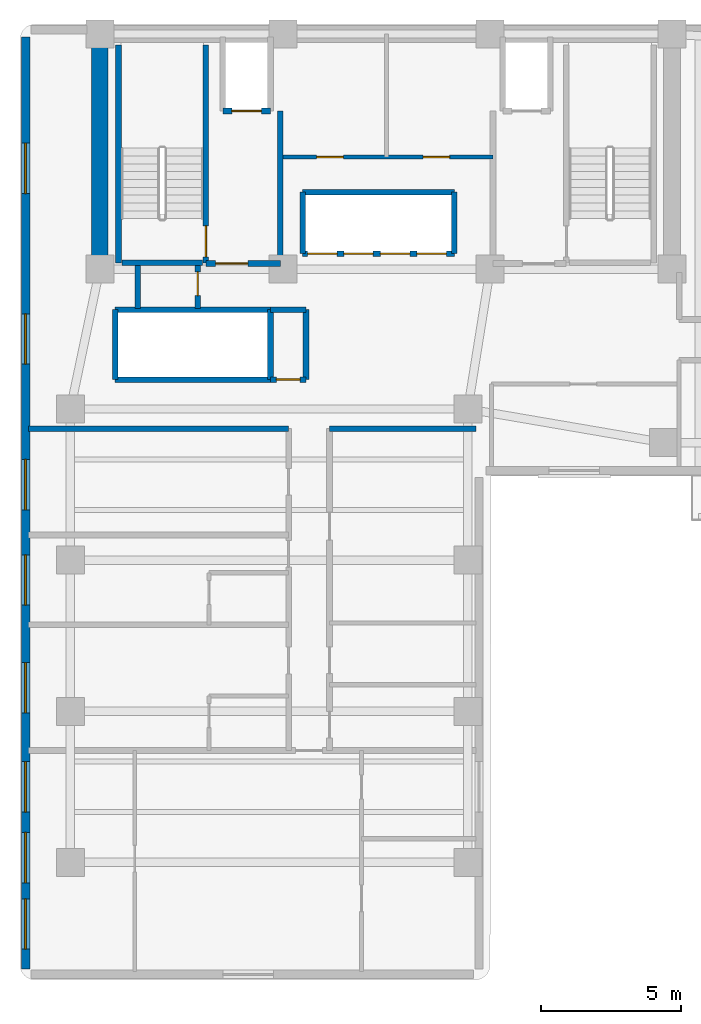
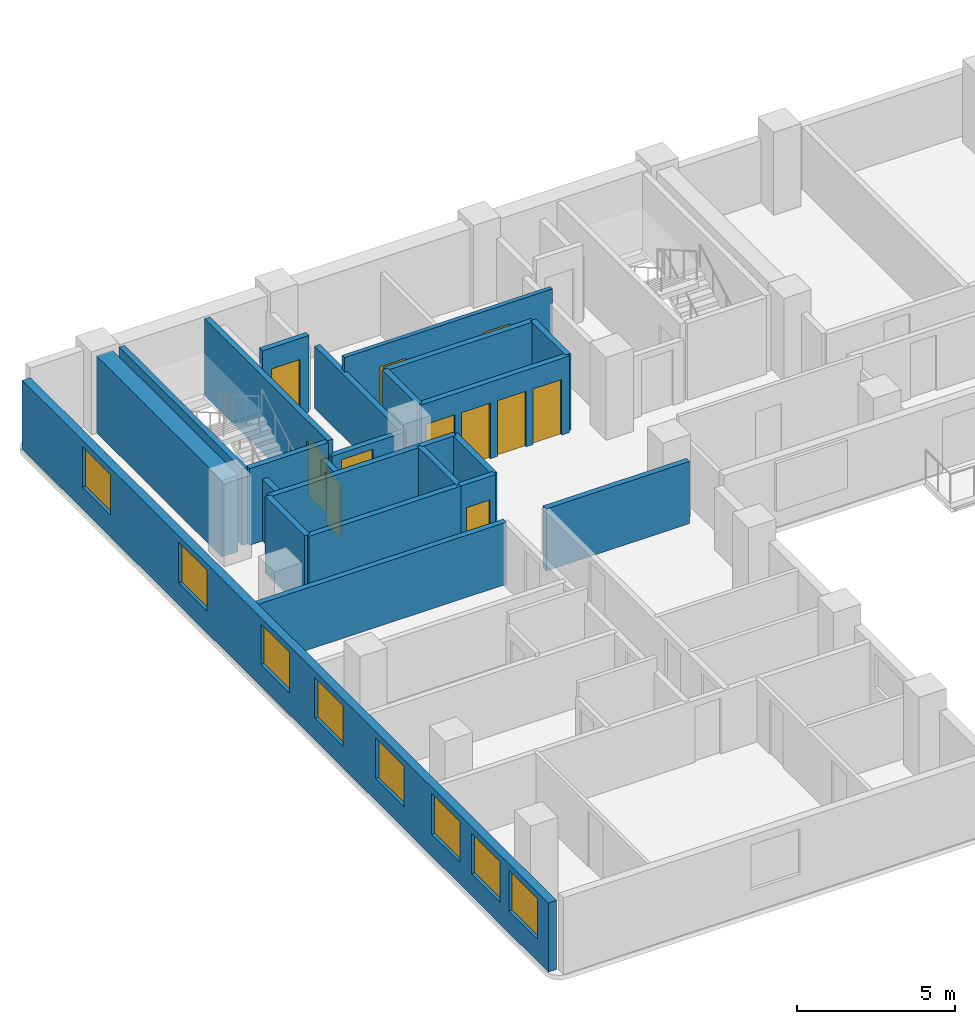
# One storey, part 3 of 7: 24 walls, 11 doors, 8 windows, 19 openings.
"""IFC4 building model written with IfcOpenShell, lengths in metres."""

from ifc_helpers import new_model, si_unit, direction, frame, frame_2d, origin, place, context, subcontext, project, spatial, rectangle, extrude, material, layer, layer_set, type_object, element, fill, save


model = new_model("IFC4")

# Units and contexts
model_context = context("Model", 3, precision=1e-05, world=origin(), true_north=direction((0.0, 1.0)))
body_context = subcontext(model_context, "Body", "Model", "MODEL_VIEW")
ifc_project = project(units=[si_unit("LENGTHUNIT", "METRE"), si_unit("AREAUNIT", "SQUARE_METRE"), si_unit("VOLUMEUNIT", "CUBIC_METRE"), si_unit("PLANEANGLEUNIT", "RADIAN"), si_unit("MASSUNIT", "GRAM", prefix="KILO")], contexts=[model_context])

# Site, building, storey
site_placement = place(None, origin())
site = spatial("IfcSite", under=ifc_project, at=site_placement, CompositionType="ELEMENT")
building_placement = place(site_placement, origin())
building = spatial("IfcBuilding", under=site, at=building_placement, Name="Kuzgunbayir Cultural Tower", CompositionType="ELEMENT")
storey_placement = place(building_placement, frame((0.0, 0.0, 149.0)))
storey = spatial("IfcBuildingStorey", under=building, at=storey_placement, Name="L43", CompositionType="ELEMENT", Elevation=149.0)

# Wall
ifc_material_1 = material(Name="Concrete C60/75", Category="concrete")
ifc_layer_1 = layer(ifc_material_1, 0.60009765625)
ifc_layer_set_1 = layer_set([ifc_layer_1], Name="Concrete C60/75")
wall_type_1 = type_object("IfcWallType", Name="WAL-CORE-600", PredefinedType="SHEAR", material=ifc_layer_set_1)
wall_1_placement = place(storey_placement, frame((6.449951171875, 33.800048828125, 0.0), z_axis=(0.0, 0.0, 1.0), x_axis=(0.0, 1.0, 0.0)))
element("IfcWall", 1, at=wall_1_placement, inside=storey, type_object=wall_type_1, Name="L43 T1 Core West Shear Wall", PredefinedType="SHEAR", context=body_context, shape_type="SweptSolid", body=[
    extrude(rectangle(XDim=7.949951171875, YDim=0.60009765625, at=frame_2d((3.97509765625, 0.0))), origin(), (0.0, 0.0, 1.0), 2.9599609375),
])

# Wall, openings, windows
ifc_material_2 = material(Name="Anatolian Cream Limestone", Category="masonry")
ifc_layer_2 = layer(ifc_material_2, 0.300048828125)
ifc_layer_set_2 = layer_set([ifc_layer_2], Name="Anatolian Cream Limestone")
wall_type_2 = type_object("IfcWallType", Name="WAL-EXT-STONE-300", PredefinedType="STANDARD", material=ifc_layer_set_2)
wall_2_placement = place(storey_placement, frame((3.800048828125, 42.10009765625, 0.0), z_axis=(0.0, 0.0, 1.0), x_axis=(0.0, -1.0, 0.0)))
wall_2 = element("IfcWall", 2, at=wall_2_placement, inside=storey, type_object=wall_type_2, Name="L43 Wing A West Limestone Wall", PredefinedType="STANDARD", context=body_context, shape_type="SweptSolid", body=[
    extrude(rectangle(XDim=33.300048828125, YDim=0.300048828125, at=frame_2d((16.64990234375, 0.0))), origin(), (0.0, 0.0, 1.0), 2.669921875),
])
opening_1_placement = place(wall_2_placement, frame((22.360107421875, 0.0, 0.85009765625)))
opening_1 = element("IfcOpeningElement", 3, at=opening_1_placement, cuts=wall_2, Name="Opening WH-18", PredefinedType="OPENING", context=body_context, shape_type="SweptSolid", body=[
    extrude(rectangle(XDim=1.800048828125, YDim=1.570068359375, at=frame_2d((0.89990234375, 0.78515625))), frame((0.0, 0.16015625, 0.0), z_axis=(0.0, -1.0, 0.0), x_axis=(1.0, 0.0, 0.0)), (0.0, 0.0, 1.0), 0.320068359375),
])
opening_2_placement = place(wall_2_placement, frame((18.510009765625, 0.0, 0.85009765625)))
opening_2 = element("IfcOpeningElement", 4, at=opening_2_placement, cuts=wall_2, Name="Opening WH-18", PredefinedType="OPENING", context=body_context, shape_type="SweptSolid", body=[
    extrude(rectangle(XDim=1.800048828125, YDim=1.570068359375, at=frame_2d((0.89990234375, 0.78515625))), frame((0.0, 0.16015625, 0.0), z_axis=(0.0, -1.0, 0.0), x_axis=(1.0, 0.0, 0.0)), (0.0, 0.0, 1.0), 0.320068359375),
])
opening_3_placement = place(wall_2_placement, frame((28.429931640625, 0.0, 0.85009765625)))
opening_3 = element("IfcOpeningElement", 5, at=opening_3_placement, cuts=wall_2, Name="Opening WH-18", PredefinedType="OPENING", context=body_context, shape_type="SweptSolid", body=[
    extrude(rectangle(XDim=1.800048828125, YDim=1.570068359375, at=frame_2d((0.89990234375, 0.78515625))), frame((0.0, 0.16015625, 0.0), z_axis=(0.0, -1.0, 0.0), x_axis=(1.0, 0.0, 0.0)), (0.0, 0.0, 1.0), 0.320068359375),
])
opening_4_placement = place(wall_2_placement, frame((30.800048828125, 0.0, 0.85009765625)))
opening_4 = element("IfcOpeningElement", 6, at=opening_4_placement, cuts=wall_2, Name="Opening WH-18", PredefinedType="OPENING", context=body_context, shape_type="SweptSolid", body=[
    extrude(rectangle(XDim=1.800048828125, YDim=1.570068359375, at=frame_2d((0.89990234375, 0.78515625))), frame((0.0, 0.16015625, 0.0), z_axis=(0.0, -1.0, 0.0), x_axis=(1.0, 0.0, 0.0)), (0.0, 0.0, 1.0), 0.320068359375),
])
opening_5_placement = place(wall_2_placement, frame((25.89990234375, 0.0, 0.85009765625)))
opening_5 = element("IfcOpeningElement", 7, at=opening_5_placement, cuts=wall_2, Name="Opening WH-18", PredefinedType="OPENING", context=body_context, shape_type="SweptSolid", body=[
    extrude(rectangle(XDim=1.800048828125, YDim=1.570068359375, at=frame_2d((0.89990234375, 0.78515625))), frame((0.0, 0.16015625, 0.0), z_axis=(0.0, -1.0, 0.0), x_axis=(1.0, 0.0, 0.0)), (0.0, 0.0, 1.0), 0.320068359375),
])
opening_6_placement = place(wall_2_placement, frame((15.10009765625, 0.0, 0.85009765625)))
opening_6 = element("IfcOpeningElement", 8, at=opening_6_placement, cuts=wall_2, Name="Opening WH-18", PredefinedType="OPENING", context=body_context, shape_type="SweptSolid", body=[
    extrude(rectangle(XDim=1.800048828125, YDim=1.570068359375, at=frame_2d((0.89990234375, 0.78515625))), frame((0.0, 0.16015625, 0.0), z_axis=(0.0, -1.0, 0.0), x_axis=(1.0, 0.0, 0.0)), (0.0, 0.0, 1.0), 0.320068359375),
])
opening_7_placement = place(wall_2_placement, frame((9.89990234375, 0.0, 0.85009765625)))
opening_7 = element("IfcOpeningElement", 9, at=opening_7_placement, cuts=wall_2, Name="Opening WH-18", PredefinedType="OPENING", context=body_context, shape_type="SweptSolid", body=[
    extrude(rectangle(XDim=1.800048828125, YDim=1.570068359375, at=frame_2d((0.89990234375, 0.78515625))), frame((0.0, 0.16015625, 0.0), z_axis=(0.0, -1.0, 0.0), x_axis=(1.0, 0.0, 0.0)), (0.0, 0.0, 1.0), 0.320068359375),
])
opening_8_placement = place(wall_2_placement, frame((3.800048828125, 0.0, 0.85009765625)))
opening_8 = element("IfcOpeningElement", 10, at=opening_8_placement, cuts=wall_2, Name="Opening WH-18", PredefinedType="OPENING", context=body_context, shape_type="SweptSolid", body=[
    extrude(rectangle(XDim=1.800048828125, YDim=1.570068359375, at=frame_2d((0.89990234375, 0.78515625))), frame((0.0, 0.16015625, 0.0), z_axis=(0.0, -1.0, 0.0), x_axis=(1.0, 0.0, 0.0)), (0.0, 0.0, 1.0), 0.320068359375),
])
ifc_material_3 = material(Name="Solar-Control Triple Glazing", Category="glass")
window_type = type_object("IfcWindowType", Name="WIN-HOTEL-18", PartitioningType="SINGLE_PANEL", PredefinedType="WINDOW", material=ifc_material_3)
window_1_placement = place(opening_1_placement, origin())
window_1 = element("IfcWindow", 11, at=window_1_placement, inside=storey, type_object=window_type, Name="L43 WAW Facade Window 1", OverallHeight=1.570068359375, OverallWidth=1.800048828125, PartitioningType="SINGLE_PANEL", PredefinedType="WINDOW", context=body_context, shape_type="SweptSolid", body=[
    extrude(rectangle(XDim=1.800048828125, YDim=1.570068359375, at=frame_2d((0.89990234375, 0.78515625))), frame((0.0, 0.030029296875, 0.0), z_axis=(0.0, -1.0, 0.0), x_axis=(1.0, 0.0, 0.0)), (0.0, 0.0, 1.0), 0.06005859375),
])
fill(opening_1, window_1)
window_2_placement = place(opening_2_placement, origin())
window_2 = element("IfcWindow", 12, at=window_2_placement, inside=storey, type_object=window_type, Name="L43 WAW Facade Window 2", OverallHeight=1.570068359375, OverallWidth=1.800048828125, PartitioningType="SINGLE_PANEL", PredefinedType="WINDOW", context=body_context, shape_type="SweptSolid", body=[
    extrude(rectangle(XDim=1.800048828125, YDim=1.570068359375, at=frame_2d((0.89990234375, 0.78515625))), frame((0.0, 0.030029296875, 0.0), z_axis=(0.0, -1.0, 0.0), x_axis=(1.0, 0.0, 0.0)), (0.0, 0.0, 1.0), 0.06005859375),
])
fill(opening_2, window_2)
window_3_placement = place(opening_3_placement, origin())
window_3 = element("IfcWindow", 13, at=window_3_placement, inside=storey, type_object=window_type, Name="L43 WAW Facade Window 3", OverallHeight=1.570068359375, OverallWidth=1.800048828125, PartitioningType="SINGLE_PANEL", PredefinedType="WINDOW", context=body_context, shape_type="SweptSolid", body=[
    extrude(rectangle(XDim=1.800048828125, YDim=1.570068359375, at=frame_2d((0.89990234375, 0.78515625))), frame((0.0, 0.030029296875, 0.0), z_axis=(0.0, -1.0, 0.0), x_axis=(1.0, 0.0, 0.0)), (0.0, 0.0, 1.0), 0.06005859375),
])
fill(opening_3, window_3)
window_4_placement = place(opening_4_placement, origin())
window_4 = element("IfcWindow", 14, at=window_4_placement, inside=storey, type_object=window_type, Name="L43 WAW Facade Window 7", OverallHeight=1.570068359375, OverallWidth=1.800048828125, PartitioningType="SINGLE_PANEL", PredefinedType="WINDOW", context=body_context, shape_type="SweptSolid", body=[
    extrude(rectangle(XDim=1.800048828125, YDim=1.570068359375, at=frame_2d((0.89990234375, 0.78515625))), frame((0.0, 0.030029296875, 0.0), z_axis=(0.0, -1.0, 0.0), x_axis=(1.0, 0.0, 0.0)), (0.0, 0.0, 1.0), 0.06005859375),
])
fill(opening_4, window_4)
window_5_placement = place(opening_5_placement, origin())
window_5 = element("IfcWindow", 15, at=window_5_placement, inside=storey, type_object=window_type, Name="L43 WAW Facade Window 8", OverallHeight=1.570068359375, OverallWidth=1.800048828125, PartitioningType="SINGLE_PANEL", PredefinedType="WINDOW", context=body_context, shape_type="SweptSolid", body=[
    extrude(rectangle(XDim=1.800048828125, YDim=1.570068359375, at=frame_2d((0.89990234375, 0.78515625))), frame((0.0, 0.030029296875, 0.0), z_axis=(0.0, -1.0, 0.0), x_axis=(1.0, 0.0, 0.0)), (0.0, 0.0, 1.0), 0.06005859375),
])
fill(opening_5, window_5)
window_6_placement = place(opening_6_placement, origin())
window_6 = element("IfcWindow", 16, at=window_6_placement, inside=storey, type_object=window_type, Name="L43 WAW Facade Window 9", OverallHeight=1.570068359375, OverallWidth=1.800048828125, PartitioningType="SINGLE_PANEL", PredefinedType="WINDOW", context=body_context, shape_type="SweptSolid", body=[
    extrude(rectangle(XDim=1.800048828125, YDim=1.570068359375, at=frame_2d((0.89990234375, 0.78515625))), frame((0.0, 0.030029296875, 0.0), z_axis=(0.0, -1.0, 0.0), x_axis=(1.0, 0.0, 0.0)), (0.0, 0.0, 1.0), 0.06005859375),
])
fill(opening_6, window_6)
window_7_placement = place(opening_7_placement, origin())
window_7 = element("IfcWindow", 17, at=window_7_placement, inside=storey, type_object=window_type, Name="L43 WAW Facade Window 10", OverallHeight=1.570068359375, OverallWidth=1.800048828125, PartitioningType="SINGLE_PANEL", PredefinedType="WINDOW", context=body_context, shape_type="SweptSolid", body=[
    extrude(rectangle(XDim=1.800048828125, YDim=1.570068359375, at=frame_2d((0.89990234375, 0.78515625))), frame((0.0, 0.030029296875, 0.0), z_axis=(0.0, -1.0, 0.0), x_axis=(1.0, 0.0, 0.0)), (0.0, 0.0, 1.0), 0.06005859375),
])
fill(opening_7, window_7)
window_8_placement = place(opening_8_placement, origin())
window_8 = element("IfcWindow", 18, at=window_8_placement, inside=storey, type_object=window_type, Name="L43 WAW Facade Window 11", OverallHeight=1.570068359375, OverallWidth=1.800048828125, PartitioningType="SINGLE_PANEL", PredefinedType="WINDOW", context=body_context, shape_type="SweptSolid", body=[
    extrude(rectangle(XDim=1.800048828125, YDim=1.570068359375, at=frame_2d((0.89990234375, 0.78515625))), frame((0.0, 0.030029296875, 0.0), z_axis=(0.0, -1.0, 0.0), x_axis=(1.0, 0.0, 0.0)), (0.0, 0.0, 1.0), 0.06005859375),
])
fill(opening_8, window_8)

# Wall, openings, doors
ifc_material_4 = material(Name="Acoustic Double-Stud Drywall", Category="gypsum")
ifc_layer_3 = layer(ifc_material_4, 0.14990234375)
ifc_layer_set_3 = layer_set([ifc_layer_3], Name="Acoustic Double-Stud Drywall")
wall_type_3 = type_object("IfcWallType", Name="WAL-PART-ACOUSTIC-150", PredefinedType="PARTITIONING", material=ifc_layer_set_3)
wall_3_placement = place(storey_placement, frame((12.89990234375, 37.800048828125, 0.0), z_axis=(0.0, 0.0, 1.0), x_axis=(1.0, 0.0, 0.0)))
wall_3 = element("IfcWall", 19, at=wall_3_placement, inside=storey, type_object=wall_type_3, Name="L43 Repurposed Core Suite Wall", PredefinedType="PARTITIONING", context=body_context, shape_type="SweptSolid", body=[
    extrude(rectangle(XDim=7.60009765625, YDim=0.14990234375, at=frame_2d((3.800048828125, 0.0))), origin(), (0.0, 0.0, 1.0), 2.9599609375),
])
opening_9_placement = place(wall_3_placement, frame((1.300048828125, 0.0, 0.0)))
opening_9 = element("IfcOpeningElement", 20, at=opening_9_placement, cuts=wall_3, Name="Opening DC-95", PredefinedType="OPENING", context=body_context, shape_type="SweptSolid", body=[
    extrude(rectangle(XDim=0.949951171875, YDim=2.14990234375, at=frame_2d((0.47509765625, 1.074951171875))), frame((0.0, 0.0849609375, 0.0), z_axis=(0.0, -1.0, 0.0), x_axis=(1.0, 0.0, 0.0)), (0.0, 0.0, 1.0), 0.169921875),
])
opening_10_placement = place(wall_3_placement, frame((5.10009765625, 0.0, 0.0)))
opening_10 = element("IfcOpeningElement", 21, at=opening_10_placement, cuts=wall_3, Name="Opening DC-95", PredefinedType="OPENING", context=body_context, shape_type="SweptSolid", body=[
    extrude(rectangle(XDim=0.949951171875, YDim=2.14990234375, at=frame_2d((0.47509765625, 1.074951171875))), frame((0.0, 0.0849609375, 0.0), z_axis=(0.0, -1.0, 0.0), x_axis=(1.0, 0.0, 0.0)), (0.0, 0.0, 1.0), 0.169921875),
])
ifc_material_5 = material(Name="Fire-Rated Veneered Oak Leaf", Category="wood")
door_type_1 = type_object("IfcDoorType", Name="DR-CORE-95", OperationType="NOTDEFINED", PredefinedType="DOOR", material=ifc_material_5)
door_1_placement = place(opening_9_placement, origin())
door_1 = element("IfcDoor", 22, at=door_1_placement, inside=storey, type_object=door_type_1, Name="L43 Focus Room Door", OperationType="SINGLE_SWING_LEFT", OverallHeight=2.14990234375, OverallWidth=0.949951171875, PredefinedType="DOOR", context=body_context, shape_type="SweptSolid", body=[
    extrude(rectangle(XDim=0.949951171875, YDim=2.14990234375, at=frame_2d((0.47509765625, 1.074951171875))), frame((0.0, 0.02490234375, 0.0), z_axis=(0.0, -1.0, 0.0), x_axis=(1.0, 0.0, 0.0)), (0.0, 0.0, 1.0), 0.050048828125),
])
fill(opening_9, door_1)
door_2_placement = place(opening_10_placement, origin())
door_2 = element("IfcDoor", 23, at=door_2_placement, inside=storey, type_object=door_type_1, Name="L43 Core Linen Room Door", OperationType="SINGLE_SWING_RIGHT", OverallHeight=2.14990234375, OverallWidth=0.949951171875, PredefinedType="DOOR", context=body_context, shape_type="SweptSolid", body=[
    extrude(rectangle(XDim=0.949951171875, YDim=2.14990234375, at=frame_2d((0.47509765625, 1.074951171875))), frame((0.0, 0.02490234375, 0.0), z_axis=(0.0, -1.0, 0.0), x_axis=(1.0, 0.0, 0.0)), (0.0, 0.0, 1.0), 0.050048828125),
])
fill(opening_10, door_2)

# Wall
ifc_material_6 = material(Name="Aerated Concrete Blockwork", Category="masonry")
ifc_layer_4 = layer(ifc_material_6, 0.199951171875)
ifc_layer_set_4 = layer_set([ifc_layer_4], Name="Aerated Concrete Blockwork")
wall_type_4 = type_object("IfcWallType", Name="WAL-PART-FIRE-200", PredefinedType="PARTITIONING", material=ifc_layer_set_4)
wall_4_placement = place(storey_placement, frame((12.89990234375, 34.0, 0.0), z_axis=(0.0, 0.0, 1.0), x_axis=(0.0, 1.0, 0.0)))
element("IfcWall", 24, at=wall_4_placement, inside=storey, type_object=wall_type_4, Name="L43 FFL-1 Lobby East Fire Wall", PredefinedType="PARTITIONING", context=body_context, shape_type="SweptSolid", body=[
    extrude(rectangle(XDim=5.449951171875, YDim=0.199951171875, at=frame_2d((2.72509765625, 0.0))), origin(), (0.0, 0.0, 1.0), 2.39990234375),
])

# Wall, opening, door
wall_5_placement = place(storey_placement, frame((10.239990234375, 34.0, 0.0), z_axis=(0.0, 0.0, 1.0), x_axis=(1.0, 0.0, 0.0)))
wall_5 = element("IfcWall", 25, at=wall_5_placement, inside=storey, type_object=wall_type_4, Name="L43 FFL-1 Lobby South Fire Wall", PredefinedType="PARTITIONING", context=body_context, shape_type="SweptSolid", body=[
    extrude(rectangle(XDim=2.659912109375, YDim=0.199951171875, at=frame_2d((1.330078125, 0.0))), origin(), (0.0, 0.0, 1.0), 2.39990234375),
])
opening_11_placement = place(wall_5_placement, frame((0.35009765625, 0.0, 0.0)))
opening_11 = element("IfcOpeningElement", 26, at=opening_11_placement, cuts=wall_5, Name="Opening DR-FFL-90", PredefinedType="OPENING", context=body_context, shape_type="SweptSolid", body=[
    extrude(rectangle(XDim=1.14990234375, YDim=2.14990234375, at=frame_2d((0.574951171875, 1.074951171875))), frame((0.0, 0.10986328125, 0.0), z_axis=(0.0, -1.0, 0.0), x_axis=(1.0, 0.0, 0.0)), (0.0, 0.0, 1.0), 0.219970703125),
])
ifc_material_7 = material(Name="Steel S355J2", Category="steel")
door_type_2 = type_object("IfcDoorType", Name="DR-FFL-90", OperationType="NOTDEFINED", PredefinedType="DOOR", material=ifc_material_7)
door_3_placement = place(opening_11_placement, origin())
door_3 = element("IfcDoor", 27, at=door_3_placement, inside=storey, type_object=door_type_2, Name="L43 Firefighting Lobby 1 Door", OperationType="SINGLE_SWING_LEFT", OverallHeight=2.14990234375, OverallWidth=1.14990234375, PredefinedType="DOOR", context=body_context, shape_type="SweptSolid", body=[
    extrude(rectangle(XDim=1.14990234375, YDim=2.14990234375, at=frame_2d((0.574951171875, 1.074951171875))), frame((0.0, 0.02490234375, 0.0), z_axis=(0.0, -1.0, 0.0), x_axis=(1.0, 0.0, 0.0)), (0.0, 0.0, 1.0), 0.050048828125),
])
fill(opening_11, door_3)

wall_6_placement = place(storey_placement, frame((12.550048828125, 29.85009765625, 0.0), z_axis=(0.0, 0.0, 1.0), x_axis=(1.0, 0.0, 0.0)))
wall_6 = element("IfcWall", 28, at=wall_6_placement, inside=storey, type_object=wall_type_4, Name="L43 Center Core Switchgear South Wall", PredefinedType="PARTITIONING", context=body_context, shape_type="SweptSolid", body=[
    extrude(rectangle(XDim=1.27001953125, YDim=0.199951171875, at=frame_2d((0.635009765625, 0.0))), origin(), (0.0, 0.0, 1.0), 2.9599609375),
])
opening_12_placement = place(wall_6_placement, frame((0.2099609375, 0.0, 0.0)))
opening_12 = element("IfcOpeningElement", 29, at=opening_12_placement, cuts=wall_6, Name="Opening DR-RSR-60", PredefinedType="OPENING", context=body_context, shape_type="SweptSolid", body=[
    extrude(rectangle(XDim=0.85009765625, YDim=2.050048828125, at=frame_2d((0.425048828125, 1.02490234375))), frame((0.0, 0.10986328125, 0.0), z_axis=(0.0, -1.0, 0.0), x_axis=(1.0, 0.0, 0.0)), (0.0, 0.0, 1.0), 0.219970703125),
])
ifc_material_8 = material(Name="Steel Access Leaf", Category="steel")
door_type_3 = type_object("IfcDoorType", Name="DR-RISER-60", OperationType="NOTDEFINED", PredefinedType="DOOR", material=ifc_material_8)
door_4_placement = place(opening_12_placement, origin())
door_4 = element("IfcDoor", 30, at=door_4_placement, inside=storey, type_object=door_type_3, Name="L43 Electrical Switchgear Closet Door", OperationType="SINGLE_SWING_LEFT", OverallHeight=2.050048828125, OverallWidth=0.85009765625, PredefinedType="DOOR", context=body_context, shape_type="SweptSolid", body=[
    extrude(rectangle(XDim=0.85009765625, YDim=2.050048828125, at=frame_2d((0.425048828125, 1.02490234375))), frame((0.0, 0.02490234375, 0.0), z_axis=(0.0, -1.0, 0.0), x_axis=(1.0, 0.0, 0.0)), (0.0, 0.0, 1.0), 0.050048828125),
])
fill(opening_12, door_4)

# Walls
wall_7_placement = place(storey_placement, frame((13.820068359375, 29.85009765625, 0.0), z_axis=(0.0, 0.0, 1.0), x_axis=(0.0, 1.0, 0.0)))
element("IfcWall", 31, at=wall_7_placement, inside=storey, type_object=wall_type_4, Name="L43 Center Core Switchgear East Wall", PredefinedType="PARTITIONING", context=body_context, shape_type="SweptSolid", body=[
    extrude(rectangle(XDim=2.5, YDim=0.199951171875, at=frame_2d((1.25, 0.0))), origin(), (0.0, 0.0, 1.0), 2.9599609375),
])
wall_8_placement = place(storey_placement, frame((12.550048828125, 32.35009765625, 0.0), z_axis=(0.0, 0.0, 1.0), x_axis=(1.0, 0.0, 0.0)))
element("IfcWall", 32, at=wall_8_placement, inside=storey, type_object=wall_type_4, Name="L43 Center Core Switchgear North Wall", PredefinedType="PARTITIONING", context=body_context, shape_type="SweptSolid", body=[
    extrude(rectangle(XDim=1.27001953125, YDim=0.199951171875, at=frame_2d((0.635009765625, 0.0))), origin(), (0.0, 0.0, 1.0), 2.9599609375),
])
wall_9_placement = place(storey_placement, frame((7.800048828125, 32.39990234375, 0.0), z_axis=(0.0, 0.0, 1.0), x_axis=(0.0, 1.0, 0.0)))
element("IfcWall", 33, at=wall_9_placement, inside=storey, type_object=wall_type_4, Name="L43 West Core Electrical Closet West Wall", PredefinedType="PARTITIONING", context=body_context, shape_type="SweptSolid", body=[
    extrude(rectangle(XDim=1.52001953125, YDim=0.199951171875, at=frame_2d((0.760009765625, 0.0))), origin(), (0.0, 0.0, 1.0), 2.39990234375),
])

# Wall, opening, door
wall_10_placement = place(storey_placement, frame((9.949951171875, 32.39990234375, 0.0), z_axis=(0.0, 0.0, 1.0), x_axis=(0.0, 1.0, 0.0)))
wall_10 = element("IfcWall", 34, at=wall_10_placement, inside=storey, type_object=wall_type_4, Name="L43 West Core Electrical Closet East Wall", PredefinedType="PARTITIONING", context=body_context, shape_type="SweptSolid", body=[
    extrude(rectangle(XDim=1.52001953125, YDim=0.199951171875, at=frame_2d((0.760009765625, 0.0))), origin(), (0.0, 0.0, 1.0), 2.39990234375),
])
opening_13_placement = place(wall_10_placement, frame((0.449951171875, 0.0, 0.0)))
opening_13 = element("IfcOpeningElement", 35, at=opening_13_placement, cuts=wall_10, Name="Opening DR-RSR-60", PredefinedType="OPENING", context=body_context, shape_type="SweptSolid", body=[
    extrude(rectangle(XDim=0.85009765625, YDim=2.050048828125, at=frame_2d((0.425048828125, 1.02490234375))), frame((0.0, 0.10986328125, 0.0), z_axis=(0.0, -1.0, 0.0), x_axis=(1.0, 0.0, 0.0)), (0.0, 0.0, 1.0), 0.219970703125),
])
door_5_placement = place(opening_13_placement, origin())
door_5 = element("IfcDoor", 36, at=door_5_placement, inside=storey, type_object=door_type_3, Name="L43 West Core Switchgear Closet Door", OperationType="SINGLE_SWING_RIGHT", OverallHeight=2.050048828125, OverallWidth=0.85009765625, PredefinedType="DOOR", context=body_context, shape_type="SweptSolid", body=[
    extrude(rectangle(XDim=0.85009765625, YDim=2.050048828125, at=frame_2d((0.425048828125, 1.02490234375))), frame((0.0, 0.02490234375, 0.0), z_axis=(0.0, -1.0, 0.0), x_axis=(1.0, 0.0, 0.0)), (0.0, 0.0, 1.0), 0.050048828125),
])
fill(opening_13, door_5)

# Walls
wall_11_placement = place(storey_placement, frame((3.89990234375, 28.10009765625, 0.0), z_axis=(0.0, 0.0, 1.0), x_axis=(1.0, 0.0, 0.0)))
element("IfcWall", 37, at=wall_11_placement, inside=storey, type_object=wall_type_4, Name="L43 North West Partition", PredefinedType="PARTITIONING", context=body_context, shape_type="SweptSolid", body=[
    extrude(rectangle(XDim=9.300048828125, YDim=0.199951171875, at=frame_2d((4.64990234375, 0.0))), origin(), (0.0, 0.0, 1.0), 2.39990234375),
])
wall_12_placement = place(storey_placement, frame((14.659912109375, 28.10009765625, 0.0), z_axis=(0.0, 0.0, 1.0), x_axis=(1.0, 0.0, 0.0)))
element("IfcWall", 38, at=wall_12_placement, inside=storey, type_object=wall_type_4, Name="L43 North East Partition", PredefinedType="PARTITIONING", context=body_context, shape_type="SweptSolid", body=[
    extrude(rectangle(XDim=5.239990234375, YDim=0.199951171875, at=frame_2d((2.6201171875, 0.0))), origin(), (0.0, 0.0, 1.0), 2.39990234375),
])
ifc_material_9 = material(Name="Concrete C40/50", Category="concrete")
ifc_layer_5 = layer(ifc_material_9, 0.199951171875)
ifc_layer_set_5 = layer_set([ifc_layer_5], Name="Concrete C40/50")
wall_type_5 = type_object("IfcWallType", Name="WAL-SHAFT-200", PredefinedType="MOVABLE", material=ifc_layer_set_5)
for number, where, z_axis, x_axis, name in (
    (39, (7.0, 29.85009765625, 0.0), (0.0, 0.0, 1.0), (1.0, 0.0, 0.0), "L43 High-Rise Lift Shaft South Wall"),
    (40, (7.0, 32.35009765625, 0.0), (0.0, 0.0, 1.0), (1.0, 0.0, 0.0), "L43 High-Rise Lift Shaft North Wall"),
):
    element("IfcWall", number, at=place(storey_placement, frame(where, z_axis=z_axis, x_axis=x_axis)), inside=storey, type_object=wall_type_5, Name=name, PredefinedType="MOVABLE", context=body_context, shape_type="SweptSolid", body=[
        extrude(rectangle(XDim=5.550048828125, YDim=0.199951171875, at=frame_2d((2.77490234375, 0.0))), origin(), (0.0, 0.0, 1.0), 2.9599609375),
    ])
for number, where, z_axis, x_axis, name in (
    (41, (7.0, 29.85009765625, 0.0), (0.0, 0.0, 1.0), (0.0, 1.0, 0.0), "L43 High-Rise Lift Shaft West Wall"),
    (42, (12.550048828125, 29.85009765625, 0.0), (0.0, 0.0, 1.0), (0.0, 1.0, 0.0), "L43 High-Rise Lift Shaft East Wall"),
):
    element("IfcWall", number, at=place(storey_placement, frame(where, z_axis=z_axis, x_axis=x_axis)), inside=storey, type_object=wall_type_5, Name=name, PredefinedType="MOVABLE", context=body_context, shape_type="SweptSolid", body=[
        extrude(rectangle(XDim=2.5, YDim=0.199951171875, at=frame_2d((1.25, 0.0))), origin(), (0.0, 0.0, 1.0), 2.9599609375),
    ])

# Wall, opening, door
wall_13_placement = place(storey_placement, frame((10.85009765625, 39.449951171875, 0.0), z_axis=(0.0, 0.0, 1.0), x_axis=(1.0, 0.0, 0.0)))
wall_13 = element("IfcWall", 43, at=wall_13_placement, inside=storey, type_object=wall_type_5, Name="L43 FFL-1 Lift Front Wall", PredefinedType="MOVABLE", context=body_context, shape_type="SweptSolid", body=[
    extrude(rectangle(XDim=1.699951171875, YDim=0.199951171875, at=frame_2d((0.85009765625, 0.0))), origin(), (0.0, 0.0, 1.0), 2.9599609375),
])
opening_14_placement = place(wall_13_placement, frame((0.320068359375, 0.0, 0.0)))
opening_14 = element("IfcOpeningElement", 44, at=opening_14_placement, cuts=wall_13, Name="Opening LD", PredefinedType="OPENING", context=body_context, shape_type="SweptSolid", body=[
    extrude(rectangle(XDim=1.050048828125, YDim=2.14990234375, at=frame_2d((0.52490234375, 1.074951171875))), frame((0.0, 0.10986328125, 0.0), z_axis=(0.0, -1.0, 0.0), x_axis=(1.0, 0.0, 0.0)), (0.0, 0.0, 1.0), 0.219970703125),
])
ifc_material_10 = material(Name="Brushed Stainless Steel", Category="steel")
door_type_4 = type_object("IfcDoorType", Name="DR-LIFT-LANDING", OperationType="SLIDING_TO_LEFT", PredefinedType="DOOR", material=ifc_material_10)
door_6_placement = place(opening_14_placement, origin())
door_6 = element("IfcDoor", 45, at=door_6_placement, inside=storey, type_object=door_type_4, Name="L43 Lift FFL-1 Landing Door", OperationType="SLIDING_TO_LEFT", OverallHeight=2.14990234375, OverallWidth=1.050048828125, PredefinedType="DOOR", context=body_context, shape_type="SweptSolid", body=[
    extrude(rectangle(XDim=1.050048828125, YDim=2.14990234375, at=frame_2d((0.52490234375, 1.074951171875))), frame((0.0, 0.02490234375, 0.0), z_axis=(0.0, -1.0, 0.0), x_axis=(1.0, 0.0, 0.0)), (0.0, 0.0, 1.0), 0.050048828125),
])
fill(opening_14, door_6)

# Wall, openings, doors
wall_14_placement = place(storey_placement, frame((13.699951171875, 34.35009765625, 0.0), z_axis=(0.0, 0.0, 1.0), x_axis=(1.0, 0.0, 0.0)))
wall_14 = element("IfcWall", 46, at=wall_14_placement, inside=storey, type_object=wall_type_5, Name="L43 Mid-Rise Lift Front Wall", PredefinedType="MOVABLE", context=body_context, shape_type="SweptSolid", body=[
    extrude(rectangle(XDim=5.420166015625, YDim=0.199951171875, at=frame_2d((2.7099609375, 0.0))), origin(), (0.0, 0.0, 1.0), 2.9599609375),
])
opening_15_placement = place(wall_14_placement, frame((0.179931640625, 0.0, 0.0)))
opening_15 = element("IfcOpeningElement", 47, at=opening_15_placement, cuts=wall_14, Name="Opening LD", PredefinedType="OPENING", context=body_context, shape_type="SweptSolid", body=[
    extrude(rectangle(XDim=1.050048828125, YDim=2.14990234375, at=frame_2d((0.52490234375, 1.074951171875))), frame((0.0, 0.10986328125, 0.0), z_axis=(0.0, -1.0, 0.0), x_axis=(1.0, 0.0, 0.0)), (0.0, 0.0, 1.0), 0.219970703125),
])
opening_16_placement = place(wall_14_placement, frame((1.469970703125, 0.0, 0.0)))
opening_16 = element("IfcOpeningElement", 48, at=opening_16_placement, cuts=wall_14, Name="Opening LD", PredefinedType="OPENING", context=body_context, shape_type="SweptSolid", body=[
    extrude(rectangle(XDim=1.050048828125, YDim=2.14990234375, at=frame_2d((0.52490234375, 1.074951171875))), frame((0.0, 0.10986328125, 0.0), z_axis=(0.0, -1.0, 0.0), x_axis=(1.0, 0.0, 0.0)), (0.0, 0.0, 1.0), 0.219970703125),
])
opening_17_placement = place(wall_14_placement, frame((2.780029296875, 0.0, 0.0)))
opening_17 = element("IfcOpeningElement", 49, at=opening_17_placement, cuts=wall_14, Name="Opening LD", PredefinedType="OPENING", context=body_context, shape_type="SweptSolid", body=[
    extrude(rectangle(XDim=1.050048828125, YDim=2.14990234375, at=frame_2d((0.52490234375, 1.074951171875))), frame((0.0, 0.10986328125, 0.0), z_axis=(0.0, -1.0, 0.0), x_axis=(1.0, 0.0, 0.0)), (0.0, 0.0, 1.0), 0.219970703125),
])
opening_18_placement = place(wall_14_placement, frame((4.080078125, 0.0, 0.0)))
opening_18 = element("IfcOpeningElement", 50, at=opening_18_placement, cuts=wall_14, Name="Opening LD", PredefinedType="OPENING", context=body_context, shape_type="SweptSolid", body=[
    extrude(rectangle(XDim=1.050048828125, YDim=2.14990234375, at=frame_2d((0.52490234375, 1.074951171875))), frame((0.0, 0.10986328125, 0.0), z_axis=(0.0, -1.0, 0.0), x_axis=(1.0, 0.0, 0.0)), (0.0, 0.0, 1.0), 0.219970703125),
])
door_7_placement = place(opening_15_placement, origin())
door_7 = element("IfcDoor", 51, at=door_7_placement, inside=storey, type_object=door_type_4, Name="L43 Lift PM-1 Landing Door", OperationType="SLIDING_TO_LEFT", OverallHeight=2.14990234375, OverallWidth=1.050048828125, PredefinedType="DOOR", context=body_context, shape_type="SweptSolid", body=[
    extrude(rectangle(XDim=1.050048828125, YDim=2.14990234375, at=frame_2d((0.52490234375, 1.074951171875))), frame((0.0, 0.02490234375, 0.0), z_axis=(0.0, -1.0, 0.0), x_axis=(1.0, 0.0, 0.0)), (0.0, 0.0, 1.0), 0.050048828125),
])
fill(opening_15, door_7)
door_8_placement = place(opening_16_placement, origin())
door_8 = element("IfcDoor", 52, at=door_8_placement, inside=storey, type_object=door_type_4, Name="L43 Lift PM-2 Landing Door", OperationType="SLIDING_TO_LEFT", OverallHeight=2.14990234375, OverallWidth=1.050048828125, PredefinedType="DOOR", context=body_context, shape_type="SweptSolid", body=[
    extrude(rectangle(XDim=1.050048828125, YDim=2.14990234375, at=frame_2d((0.52490234375, 1.074951171875))), frame((0.0, 0.02490234375, 0.0), z_axis=(0.0, -1.0, 0.0), x_axis=(1.0, 0.0, 0.0)), (0.0, 0.0, 1.0), 0.050048828125),
])
fill(opening_16, door_8)
door_9_placement = place(opening_17_placement, origin())
door_9 = element("IfcDoor", 53, at=door_9_placement, inside=storey, type_object=door_type_4, Name="L43 Lift PM-3 Landing Door", OperationType="SLIDING_TO_LEFT", OverallHeight=2.14990234375, OverallWidth=1.050048828125, PredefinedType="DOOR", context=body_context, shape_type="SweptSolid", body=[
    extrude(rectangle(XDim=1.050048828125, YDim=2.14990234375, at=frame_2d((0.52490234375, 1.074951171875))), frame((0.0, 0.02490234375, 0.0), z_axis=(0.0, -1.0, 0.0), x_axis=(1.0, 0.0, 0.0)), (0.0, 0.0, 1.0), 0.050048828125),
])
fill(opening_17, door_9)
door_10_placement = place(opening_18_placement, origin())
door_10 = element("IfcDoor", 54, at=door_10_placement, inside=storey, type_object=door_type_4, Name="L43 Lift PM-4 Landing Door", OperationType="SLIDING_TO_LEFT", OverallHeight=2.14990234375, OverallWidth=1.050048828125, PredefinedType="DOOR", context=body_context, shape_type="SweptSolid", body=[
    extrude(rectangle(XDim=1.050048828125, YDim=2.14990234375, at=frame_2d((0.52490234375, 1.074951171875))), frame((0.0, 0.02490234375, 0.0), z_axis=(0.0, -1.0, 0.0), x_axis=(1.0, 0.0, 0.0)), (0.0, 0.0, 1.0), 0.050048828125),
])
fill(opening_18, door_10)

# Walls
wall_15_placement = place(storey_placement, frame((13.699951171875, 36.550048828125, 0.0), z_axis=(0.0, 0.0, 1.0), x_axis=(1.0, 0.0, 0.0)))
element("IfcWall", 55, at=wall_15_placement, inside=storey, type_object=wall_type_5, Name="L43 Mid-Rise Lift Shaft North Wall", PredefinedType="MOVABLE", context=body_context, shape_type="SweptSolid", body=[
    extrude(rectangle(XDim=5.420166015625, YDim=0.199951171875, at=frame_2d((2.7099609375, 0.0))), origin(), (0.0, 0.0, 1.0), 2.9599609375),
])
for number, where, z_axis, x_axis, name in (
    (56, (13.699951171875, 34.35009765625, 0.0), (0.0, 0.0, 1.0), (0.0, 1.0, 0.0), "L43 Mid-Rise Lift Shaft West Wall"),
    (57, (19.1201171875, 34.35009765625, 0.0), (0.0, 0.0, 1.0), (0.0, 1.0, 0.0), "L43 Mid-Rise Lift Shaft East Wall"),
):
    element("IfcWall", number, at=place(storey_placement, frame(where, z_axis=z_axis, x_axis=x_axis)), inside=storey, type_object=wall_type_5, Name=name, PredefinedType="MOVABLE", context=body_context, shape_type="SweptSolid", body=[
        extrude(rectangle(XDim=2.199951171875, YDim=0.199951171875, at=frame_2d((1.10009765625, 0.0))), origin(), (0.0, 0.0, 1.0), 2.9599609375),
    ])
ifc_layer_6 = layer(ifc_material_9, 0.199951171875)
ifc_layer_set_6 = layer_set([ifc_layer_6], Name="Concrete C40/50")
wall_type_6 = type_object("IfcWallType", Name="WAL-STAIR-RC-200", PredefinedType="SHEAR", material=ifc_layer_set_6)
wall_16_placement = place(storey_placement, frame((7.1201171875, 34.02001953125, 0.0), z_axis=(0.0, 0.0, 1.0), x_axis=(0.0, 1.0, 0.0)))
element("IfcWall", 58, at=wall_16_placement, inside=storey, type_object=wall_type_6, Name="L43 Stair ST-1 West Structural Wall", PredefinedType="SHEAR", context=body_context, shape_type="SweptSolid", body=[
    extrude(rectangle(XDim=7.780029296875, YDim=0.199951171875, at=frame_2d((3.89013671875, 0.0))), origin(), (0.0, 0.0, 1.0), 2.9599609375),
])

# Wall, opening, door
wall_17_placement = place(storey_placement, frame((10.239990234375, 34.02001953125, 0.0), z_axis=(0.0, 0.0, 1.0), x_axis=(0.0, 1.0, 0.0)))
wall_17 = element("IfcWall", 59, at=wall_17_placement, inside=storey, type_object=wall_type_6, Name="L43 Stair ST-1 East Structural Wall", PredefinedType="SHEAR", context=body_context, shape_type="SweptSolid", body=[
    extrude(rectangle(XDim=7.780029296875, YDim=0.199951171875, at=frame_2d((3.89013671875, 0.0))), origin(), (0.0, 0.0, 1.0), 2.9599609375),
])
opening_19_placement = place(wall_17_placement, frame((0.219970703125, 0.0, 0.0)))
opening_19 = element("IfcOpeningElement", 60, at=opening_19_placement, cuts=wall_17, Name="Opening DR-STAIR-90", PredefinedType="OPENING", context=body_context, shape_type="SweptSolid", body=[
    extrude(rectangle(XDim=1.10009765625, YDim=2.14990234375, at=frame_2d((0.550048828125, 1.074951171875))), frame((0.0, 0.10986328125, 0.0), z_axis=(0.0, -1.0, 0.0), x_axis=(1.0, 0.0, 0.0)), (0.0, 0.0, 1.0), 0.219970703125),
])
door_type_5 = type_object("IfcDoorType", Name="DR-STAIR-90", OperationType="NOTDEFINED", PredefinedType="DOOR", material=ifc_material_7)
door_11_placement = place(opening_19_placement, origin())
door_11 = element("IfcDoor", 61, at=door_11_placement, inside=storey, type_object=door_type_5, Name="L43 Stair ST-1 Fire Door", OperationType="SINGLE_SWING_LEFT", OverallHeight=2.14990234375, OverallWidth=1.10009765625, PredefinedType="DOOR", context=body_context, shape_type="SweptSolid", body=[
    extrude(rectangle(XDim=1.10009765625, YDim=2.14990234375, at=frame_2d((0.550048828125, 1.074951171875))), frame((0.0, 0.02490234375, 0.0), z_axis=(0.0, -1.0, 0.0), x_axis=(1.0, 0.0, 0.0)), (0.0, 0.0, 1.0), 0.050048828125),
])
fill(opening_19, door_11)

# Wall
wall_18_placement = place(storey_placement, frame((7.239990234375, 34.02001953125, 0.0), z_axis=(0.0, 0.0, 1.0), x_axis=(1.0, 0.0, 0.0)))
element("IfcWall", 62, at=wall_18_placement, inside=storey, type_object=wall_type_6, Name="L43 Stair ST-1 South Structural Wall", PredefinedType="SHEAR", context=body_context, shape_type="SweptSolid", body=[
    extrude(rectangle(XDim=2.880126953125, YDim=0.199951171875, at=frame_2d((1.43994140625, 0.0))), origin(), (0.0, 0.0, 1.0), 2.9599609375),
])

save(model, "model.ifc")
